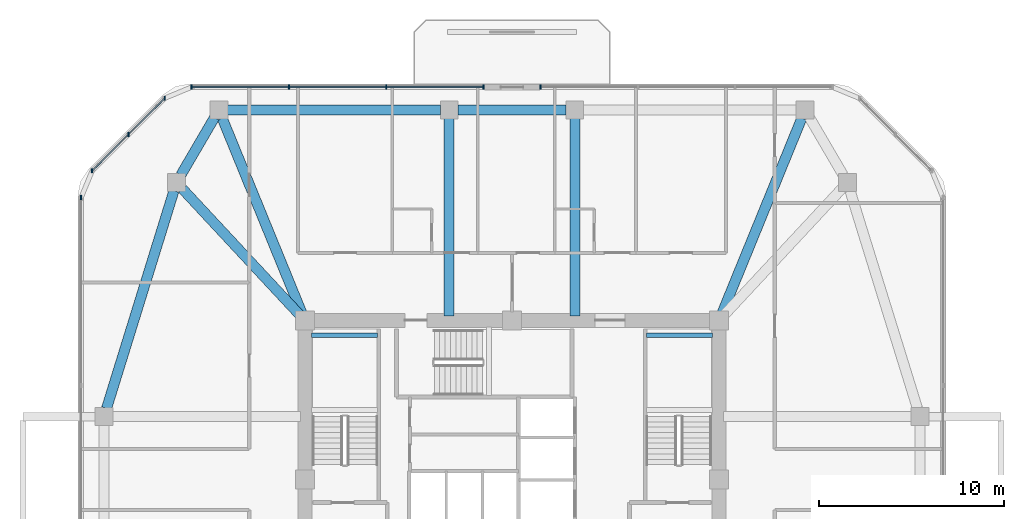
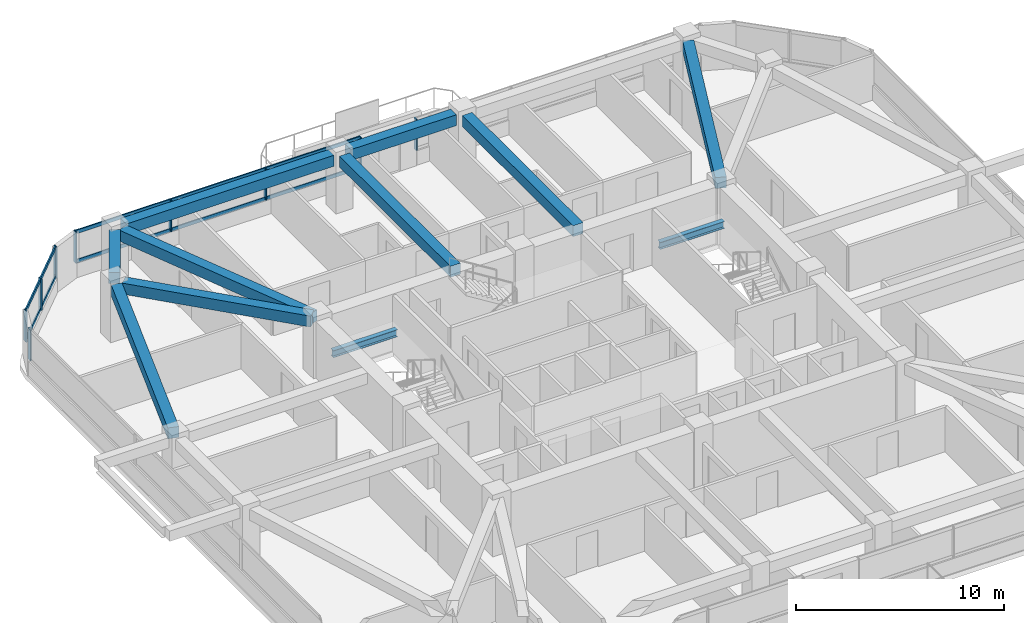
# One storey, part 4 of 12: 13 members, 11 beams, 4 elements without a shape of their own.
"""IFC4 building model written with IfcOpenShell, lengths in metres."""

import ifcopenshell
import ifcopenshell.guid

model = None  # the IFC model being written
_history = None  # IfcOwnerHistory: only IFC2X3 demands one
_inside = {}  # id of a spatial element -> (the spatial element, [elements in it])
_under = {}  # id of a project, library or spatial element -> (it, [spatial elements below it])
_declared = {}  # id of a project -> (the project, [libraries it declares])
_typed = {}  # id of a type object -> (the type object, [elements of that type])
_made_of = {}  # id of a material, layer set ... -> (it, [elements and type objects made of it])


def new_model(schema):
    """Start an empty IFC model of exactly this schema.

    Asked for "IFC4X3", IfcOpenShell would pick the latest addendum, in which some entities
    have other attributes; the version numbers below select the first issue.
    IFC2X3 requires an IfcOwnerHistory on every rooted entity: one is made here for all.
    """
    global model, _history
    if schema == "IFC4X3":
        model = ifcopenshell.file(schema_version=(4, 3, 0, 0))
    else:
        model = ifcopenshell.file(schema=schema)
    _inside.clear()
    _under.clear()
    _declared.clear()
    _typed.clear()
    _made_of.clear()
    _history = None
    if model.schema == "IFC2X3":
        org = make("IfcOrganization", Name="unknown")
        user = make(
            "IfcPersonAndOrganization",
            ThePerson=make("IfcPerson", FamilyName="unknown"),
            TheOrganization=org,
        )
        app = make(
            "IfcApplication",
            ApplicationDeveloper=org,
            Version="unknown",
            ApplicationFullName="unknown",
            ApplicationIdentifier="unknown",
        )
        _history = make(
            "IfcOwnerHistory",
            OwningUser=user,
            OwningApplication=app,
            ChangeAction="ADDED",
            CreationDate=0,
        )
    return model


def make(cls, **values):
    """One entity of the class cls with the attributes given. An attribute that is None is left unset."""
    return model.create_entity(
        cls, **{name: value for name, value in values.items() if value is not None}
    )


def rooted(cls, **values):
    """An entity with a GlobalId (a new one), such as an element, a storey or a relation."""
    return make(cls, GlobalId=ifcopenshell.guid.new(), OwnerHistory=_history, **values)


def si_unit(unit_type, name, prefix=None):
    """IfcSIUnit, for example si_unit("LENGTHUNIT", "METRE", prefix="MILLI")."""
    return make("IfcSIUnit", UnitType=unit_type, Prefix=prefix, Name=name)


def derived_unit(unit_type, elements):
    """IfcDerivedUnit: a product of units, each with its exponent."""
    return make(
        "IfcDerivedUnit",
        Elements=[
            make("IfcDerivedUnitElement", Unit=unit, Exponent=power)
            for unit, power in elements
        ],
        UnitType=unit_type,
    )


def assignment(units):
    """IfcUnitAssignment: the units of a project."""
    return None if units is None else make("IfcUnitAssignment", Units=units)


def point(xyz):
    """IfcCartesianPoint."""
    return None if xyz is None else make("IfcCartesianPoint", Coordinates=xyz)


def direction(xyz):
    """IfcDirection."""
    return None if xyz is None else make("IfcDirection", DirectionRatios=xyz)


def frame(location, z_axis=None, x_axis=None):
    """IfcAxis2Placement3D, a coordinate frame: its origin and axes. An axis left out is left unset."""
    return make(
        "IfcAxis2Placement3D",
        Location=point(location),
        Axis=direction(z_axis),
        RefDirection=direction(x_axis),
    )


def frame_2d(location, x_axis=None):
    """IfcAxis2Placement2D, a coordinate frame in the plane: its origin and x axis."""
    return make(
        "IfcAxis2Placement2D", Location=point(location), RefDirection=direction(x_axis)
    )


def origin():
    """The frame at (0, 0, 0) with its axes left unset."""
    return frame((0.0, 0.0, 0.0))


def origin_2d():
    """The frame at (0, 0) in the plane with its x axis left unset."""
    return frame_2d((0.0, 0.0))


def place(relative_to, where):
    """IfcLocalPlacement: puts the frame where relative to a parent placement (None: the world)."""
    return make(
        "IfcLocalPlacement", PlacementRelTo=relative_to, RelativePlacement=where
    )


def context(
    kind, dimensions, precision=None, world=None, true_north=None, identifier=None
):
    """IfcGeometricRepresentationContext, for example the 3D "Model" context."""
    return make(
        "IfcGeometricRepresentationContext",
        ContextIdentifier=identifier,
        ContextType=kind,
        CoordinateSpaceDimension=dimensions,
        Precision=precision,
        WorldCoordinateSystem=world,
        TrueNorth=true_north,
    )


def subcontext(parent, identifier, kind, view, scale=None):
    """IfcGeometricRepresentationSubContext, for example "Body" below "Model"."""
    return make(
        "IfcGeometricRepresentationSubContext",
        ContextIdentifier=identifier,
        ContextType=kind,
        ParentContext=parent,
        TargetScale=scale,
        TargetView=view,
    )


def project(units=None, contexts=None):
    """IfcProject with its units and contexts."""
    return rooted(
        "IfcProject",
        Name="project",
        RepresentationContexts=contexts,
        UnitsInContext=assignment(units),
    )


def spatial(cls, under=None, at=None, **own):
    """A site, building, storey or space (cls), placed at a placement, below another one or the project."""
    s = rooted(cls, ObjectPlacement=at, **own)
    if under is not None:
        _under.setdefault(under.id(), (under, []))[1].append(s)
    return s


def profile(cls, at=None, kind="AREA", **sizes):
    """A parametric profile (cls). Its sizes go by their IFC names, for example OverallWidth=200.0."""
    return make(cls, ProfileType=kind, Position=at, **sizes)


def rectangle(**sizes):
    """IfcRectangleProfileDef."""
    return profile("IfcRectangleProfileDef", **sizes)


def i_section(**sizes):
    """IfcIShapeProfileDef."""
    return profile("IfcIShapeProfileDef", **sizes)


def extrude(swept, where, along, depth):
    """IfcExtrudedAreaSolid: the profile swept, set in the frame where, extruded along a direction by depth."""
    return make(
        "IfcExtrudedAreaSolid",
        SweptArea=swept,
        Position=where,
        ExtrudedDirection=direction(along),
        Depth=depth,
    )


def shape(context_of_items, identifier, shape_type, items):
    """IfcShapeRepresentation: the items that make up one representation, for example the "Body"."""
    return make(
        "IfcShapeRepresentation",
        ContextOfItems=context_of_items,
        RepresentationIdentifier=identifier,
        RepresentationType=shape_type,
        Items=items,
    )


def material(Name=None, Category=None):
    """IfcMaterial."""
    return make("IfcMaterial", Name=Name, Category=Category)


def material_profile(
    of_material, cross_section, Name=None, Category=None, Priority=None
):
    """IfcMaterialProfile: a cross section and its material."""
    return make(
        "IfcMaterialProfile",
        Name=Name,
        Material=of_material,
        Profile=cross_section,
        Priority=Priority,
        Category=Category,
    )


def profile_set(profiles, Name=None, composite=None):
    """IfcMaterialProfileSet."""
    return make(
        "IfcMaterialProfileSet",
        Name=Name,
        MaterialProfiles=profiles,
        CompositeProfile=composite,
    )


def made_of(thing, what):
    """Note that an element or type object is made of a material, layer set ...; save() writes the relation."""
    if what is not None:
        _made_of.setdefault(what.id(), (what, []))[1].append(thing)
    return thing


def type_object(cls, material=None, **own):
    """A type object (cls), such as IfcWallType, which elements share."""
    return made_of(rooted(cls, **own), material)


def element(
    cls,
    number,
    at=None,
    inside=None,
    cuts=None,
    type_object=None,
    material=None,
    context=None,
    identifier="Body",
    shape_type=None,
    held_by="IfcProductDefinitionShape",
    body=None,
    shapes=None,
    **own,
):
    """One element of the class cls, such as IfcWall. Its Tag is "e" and its number.

    at: its placement. inside: the storey or other place that contains it. cuts: it is an
    opening in that element (IfcRelVoidsElement). A single representation is given by context,
    identifier, shape_type and body (its items); several are given by shapes. held_by: the class
    of the entity that holds the representations. save() writes the other relations.
    """
    e = rooted(cls, Tag="e%d" % number, ObjectPlacement=at, **own)
    if body is not None:
        shapes = [shape(context, identifier, shape_type, body)]
    if shapes is not None:
        e.Representation = make(held_by, Representations=shapes)
    if inside is not None:
        _inside.setdefault(inside.id(), (inside, []))[1].append(e)
    if cuts is not None:
        rooted(
            "IfcRelVoidsElement", RelatingBuildingElement=cuts, RelatedOpeningElement=e
        )
    if type_object is not None:
        _typed.setdefault(type_object.id(), (type_object, []))[1].append(e)
    return made_of(e, material)


def aggregate(whole, parts):
    """IfcRelAggregates: a whole, such as a stair, and the parts it consists of."""
    return rooted("IfcRelAggregates", RelatingObject=whole, RelatedObjects=parts)


def save(model, path):
    """Write the relations noted so far, then the file.

    IfcRelAggregates (storeys below a building ...), IfcRelContainedInSpatialStructure (elements
    in a storey), IfcRelDefinesByType, IfcRelAssociatesMaterial and IfcRelDeclares: one each for
    every whole, place, type object, material and project.
    """
    for whole, parts in _under.values():
        aggregate(whole, parts)
    for where, things in _inside.values():
        rooted(
            "IfcRelContainedInSpatialStructure",
            RelatedElements=things,
            RelatingStructure=where,
        )
    for kind, things in _typed.values():
        rooted("IfcRelDefinesByType", RelatedObjects=things, RelatingType=kind)
    for what, things in _made_of.values():
        rooted("IfcRelAssociatesMaterial", RelatedObjects=things, RelatingMaterial=what)
    for by, libraries in _declared.values():
        rooted("IfcRelDeclares", RelatingContext=by, RelatedDefinitions=libraries)
    model.write(path)


model = new_model("IFC4")

# Units and contexts
model_context = context("Model", 3, precision=1e-05, world=origin(), true_north=direction((0.0, 1.0)))
body_context = subcontext(model_context, "Body", "Model", "MODEL_VIEW")
ifc_project = project(units=[si_unit("LENGTHUNIT", "METRE"), si_unit("AREAUNIT", "SQUARE_METRE"), si_unit("VOLUMEUNIT", "CUBIC_METRE"), si_unit("PLANEANGLEUNIT", "RADIAN"), si_unit("MASSUNIT", "GRAM", prefix="KILO"), derived_unit("THERMALTRANSMITTANCEUNIT", [(si_unit("POWERUNIT", "WATT"), 1), (si_unit("LENGTHUNIT", "METRE"), -2), (si_unit("THERMODYNAMICTEMPERATUREUNIT", "KELVIN"), -1)])], contexts=[model_context])

# Site, building, storey
site_placement = place(None, origin())
site = spatial("IfcSite", under=ifc_project, at=site_placement, CompositionType="ELEMENT")
building_placement = place(site_placement, origin())
building = spatial("IfcBuilding", under=site, at=building_placement, Name="Koralith Skygarden Medical Center", CompositionType="ELEMENT")
storey_placement = place(building_placement, frame((0.0, 0.0, 138.419921875)))
storey = spatial("IfcBuildingStorey", under=building, at=storey_placement, Name="L35", CompositionType="ELEMENT", Elevation=138.419921875)

# Curtain wall, member
ifc_material_1 = material(Name="Clear Laminated Glass", Category="glass")
curtain_wall_type = type_object("IfcCurtainWallType", Name="CW-4 Zone 3 Waist High-Wind Curtain Wall", PredefinedType="NOTDEFINED", material=ifc_material_1)
curtain_wall_1_placement = place(storey_placement, origin())
curtain_wall_1 = element("IfcCurtainWall", 1, at=curtain_wall_1_placement, inside=storey, type_object=curtain_wall_type, Name="Curtain Wall CW-L35-N-L", PredefinedType="NOTDEFINED")
ifc_material_2 = material(Name="Aluminium 6063-T6", Category="aluminium")
ifc_material_profile_1 = material_profile(ifc_material_2, rectangle(XDim=0.076904296875, YDim=0.22998046875, at=origin_2d()), Name="MUL77X230")
ifc_profile_set_1 = profile_set([ifc_material_profile_1], Name="Aluminium 6063-T6")
member_type_1 = type_object("IfcMemberType", Name="CW-4 Extruded Mullion 77x230", PredefinedType="MULLION", material=ifc_profile_set_1)
member_1_placement = place(storey_placement, frame((38.541015625, 47.1201171875, 0.85009765625), z_axis=(0.0, 0.0, 1.0), x_axis=(1.0, 0.0, 0.0)))
member_1 = element("IfcMember", 2, at=member_1_placement, type_object=member_type_1, Name="CW-L35-N-L Mullion 4", PredefinedType="MULLION", context=body_context, shape_type="SweptSolid", body=[
    extrude(rectangle(XDim=0.076904296875, YDim=0.22998046875, at=origin_2d()), origin(), (0.0, 0.0, 1.0), 1.820068359375),
])
aggregate(curtain_wall_1, [member_1])

# Curtain wall, members
curtain_wall_2_placement = place(storey_placement, origin())
curtain_wall_2 = element("IfcCurtainWall", 3, at=curtain_wall_2_placement, inside=storey, type_object=curtain_wall_type, Name="Curtain Wall CW-L35-N-R", PredefinedType="NOTDEFINED")
member_2_placement = place(storey_placement, frame((35.4609375, 47.1201171875, 0.85009765625), z_axis=(0.0, 0.0, 1.0), x_axis=(1.0, 0.0, 0.0)))
member_2 = element("IfcMember", 4, at=member_2_placement, type_object=member_type_1, Name="CW-L35-N-R Mullion 1", PredefinedType="MULLION", context=body_context, shape_type="SweptSolid", body=[
    extrude(rectangle(XDim=0.076904296875, YDim=0.22998046875, at=origin_2d()), origin(), (0.0, 0.0, 1.0), 1.820068359375),
])
member_3_placement = place(storey_placement, frame((30.197998046875, 47.1201171875, 0.85009765625), z_axis=(0.0, 0.0, 1.0), x_axis=(1.0, 0.0, 0.0)))
member_3 = element("IfcMember", 5, at=member_3_placement, type_object=member_type_1, Name="CW-L35-N-R Mullion 2", PredefinedType="MULLION", context=body_context, shape_type="SweptSolid", body=[
    extrude(rectangle(XDim=0.076904296875, YDim=0.22998046875, at=origin_2d()), origin(), (0.0, 0.0, 1.0), 1.820068359375),
])
member_4_placement = place(storey_placement, frame((24.93408203125, 47.1201171875, 0.85009765625), z_axis=(0.0, 0.0, 1.0), x_axis=(1.0, 0.0, 0.0)))
member_4 = element("IfcMember", 6, at=member_4_placement, type_object=member_type_1, Name="CW-L35-N-R Mullion 3", PredefinedType="MULLION", context=body_context, shape_type="SweptSolid", body=[
    extrude(rectangle(XDim=0.076904296875, YDim=0.22998046875, at=origin_2d()), origin(), (0.0, 0.0, 1.0), 1.820068359375),
])
member_5_placement = place(storey_placement, frame((19.6708984375, 47.1201171875, 0.85009765625), z_axis=(0.0, 0.0, 1.0), x_axis=(1.0, 0.0, 0.0)))
member_5 = element("IfcMember", 7, at=member_5_placement, type_object=member_type_1, Name="CW-L35-N-R Mullion 4", PredefinedType="MULLION", context=body_context, shape_type="SweptSolid", body=[
    extrude(rectangle(XDim=0.076904296875, YDim=0.22998046875, at=origin_2d()), origin(), (0.0, 0.0, 1.0), 1.820068359375),
])

curtain_wall_3_placement = place(storey_placement, origin())
curtain_wall_3 = element("IfcCurtainWall", 8, at=curtain_wall_3_placement, inside=storey, type_object=curtain_wall_type, Name="Curtain Wall CW-L35-NW", PredefinedType="NOTDEFINED")
member_6_placement = place(storey_placement, frame((18.219970703125, 46.51904296875, 0.85009765625), z_axis=(0.0, 0.0, 1.0), x_axis=(1.0, 0.0, 0.0)))
member_6 = element("IfcMember", 9, at=member_6_placement, type_object=member_type_1, Name="CW-L35-NW Mullion 1", PredefinedType="MULLION", context=body_context, shape_type="SweptSolid", body=[
    extrude(rectangle(XDim=0.076904296875, YDim=0.22998046875, at=origin_2d()), origin(), (0.0, 0.0, 1.0), 1.820068359375),
])
member_7_placement = place(storey_placement, frame((16.258056640625, 44.556884765625, 0.85009765625), z_axis=(0.0, 0.0, 1.0), x_axis=(1.0, 0.0, 0.0)))
member_7 = element("IfcMember", 10, at=member_7_placement, type_object=member_type_1, Name="CW-L35-NW Mullion 2", PredefinedType="MULLION", context=body_context, shape_type="SweptSolid", body=[
    extrude(rectangle(XDim=0.076904296875, YDim=0.22998046875, at=origin_2d()), origin(), (0.0, 0.0, 1.0), 1.820068359375),
])
member_8_placement = place(storey_placement, frame((14.297119140625, 42.595947265625, 0.85009765625), z_axis=(0.0, 0.0, 1.0), x_axis=(1.0, 0.0, 0.0)))
member_8 = element("IfcMember", 11, at=member_8_placement, type_object=member_type_1, Name="CW-L35-NW Mullion 3", PredefinedType="MULLION", context=body_context, shape_type="SweptSolid", body=[
    extrude(rectangle(XDim=0.076904296875, YDim=0.22998046875, at=origin_2d()), origin(), (0.0, 0.0, 1.0), 1.820068359375),
])

# Curtain wall, member
curtain_wall_4_placement = place(storey_placement, origin())
curtain_wall_4 = element("IfcCurtainWall", 12, at=curtain_wall_4_placement, inside=storey, type_object=curtain_wall_type, Name="Curtain Wall CW-L35-W", PredefinedType="NOTDEFINED")
member_9_placement = place(storey_placement, frame((13.696044921875, 41.14501953125, 0.85009765625), z_axis=(0.0, 0.0, 1.0), x_axis=(1.0, 0.0, 0.0)))
member_9 = element("IfcMember", 13, at=member_9_placement, type_object=member_type_1, Name="CW-L35-W Mullion 1", PredefinedType="MULLION", context=body_context, shape_type="SweptSolid", body=[
    extrude(rectangle(XDim=0.076904296875, YDim=0.22998046875, at=origin_2d()), origin(), (0.0, 0.0, 1.0), 1.820068359375),
])
aggregate(curtain_wall_4, [member_9])

# Member
ifc_material_profile_2 = material_profile(ifc_material_2, rectangle(XDim=0.072021484375, YDim=0.20703125, at=origin_2d()), Name="TRN72X207")
ifc_profile_set_2 = profile_set([ifc_material_profile_2], Name="Aluminium 6063-T6")
member_type_2 = type_object("IfcMemberType", Name="CW-4 Thermal Transom 72x207", PredefinedType="USERDEFINED", material=ifc_profile_set_2)
member_10_placement = place(storey_placement, frame((35.4609375, 47.1201171875, 0.900146484375), z_axis=(-1.0, 0.0, 0.0), x_axis=(0.0, -1.0, 0.0)))
member_10 = element("IfcMember", 14, at=member_10_placement, type_object=member_type_2, Name="CW-L35-N-R Transom 1", ObjectType="TRANSOM", PredefinedType="USERDEFINED", context=body_context, shape_type="SweptSolid", body=[
    extrude(rectangle(XDim=0.072021484375, YDim=0.20703125, at=origin_2d()), origin(), (0.0, 0.0, 1.0), 15.7900390625),
])

member_11_placement = place(storey_placement, frame((35.4609375, 47.1201171875, 2.6201171875), z_axis=(-1.0, 0.0, 0.0), x_axis=(0.0, -1.0, 0.0)))
member_11 = element("IfcMember", 15, at=member_11_placement, type_object=member_type_2, Name="CW-L35-N-R Transom 2", ObjectType="TRANSOM", PredefinedType="USERDEFINED", context=body_context, shape_type="SweptSolid", body=[
    extrude(rectangle(XDim=0.072021484375, YDim=0.20703125, at=origin_2d()), origin(), (0.0, 0.0, 1.0), 15.7900390625),
])

aggregate(curtain_wall_2, [member_2, member_3, member_4, member_5, member_10, member_11])

member_12_placement = place(storey_placement, frame((18.219970703125, 46.51904296875, 0.900146484375), z_axis=(-0.707084777957, -0.707128783731, 0.0), x_axis=(0.707128783731, -0.707084777957, 0.0)))
member_12 = element("IfcMember", 16, at=member_12_placement, type_object=member_type_2, Name="CW-L35-NW Transom 1", ObjectType="TRANSOM", PredefinedType="USERDEFINED", context=body_context, shape_type="SweptSolid", body=[
    extrude(rectangle(XDim=0.072021484375, YDim=0.20703125, at=origin_2d()), origin(), (0.0, 0.0, 1.0), 5.5478515625),
])

member_13_placement = place(storey_placement, frame((18.219970703125, 46.51904296875, 2.6201171875), z_axis=(-0.707084777957, -0.707128783731, 0.0), x_axis=(0.707128783731, -0.707084777957, 0.0)))
member_13 = element("IfcMember", 17, at=member_13_placement, type_object=member_type_2, Name="CW-L35-NW Transom 2", ObjectType="TRANSOM", PredefinedType="USERDEFINED", context=body_context, shape_type="SweptSolid", body=[
    extrude(rectangle(XDim=0.072021484375, YDim=0.20703125, at=origin_2d()), origin(), (0.0, 0.0, 1.0), 5.5478515625),
])

aggregate(curtain_wall_3, [member_6, member_7, member_8, member_12, member_13])

# Beams
ifc_material_3 = material(Name="Steel ASTM A992 Grade 50", Category="steel")
ifc_material_profile_3 = material_profile(ifc_material_3, i_section(OverallWidth=0.260009765625, OverallDepth=0.4150390625, WebThickness=0.010009765625, FlangeThickness=0.016845703125, at=origin_2d()), Name="W16X67")
ifc_profile_set_3 = profile_set([ifc_material_profile_3], Name="Steel ASTM A992 Grade 50")
beam_type_1 = type_object("IfcBeamType", Name="Clinical Floor Joist W16X67", PredefinedType="JOIST", material=ifc_profile_set_3)
for number, where, z_axis, x_axis, name in (
    (18, (26.155029296875, 33.699951171875, 1.39208984375), (1.0, 0.0, 0.0), (0.0, 1.0, 0.0), "L35 Stair ST1 Half-Landing Support Beam 1B"),
    (19, (44.280029296875, 33.699951171875, 1.39208984375), (1.0, 0.0, 0.0), (0.0, 1.0, 0.0), "L35 Stair ST2 Half-Landing Support Beam 1B"),
):
    element("IfcBeam", number, at=place(storey_placement, frame(where, z_axis=z_axis, x_axis=x_axis)), inside=storey, type_object=beam_type_1, Name=name, PredefinedType="JOIST", context=body_context, shape_type="SweptSolid", body=[
        extrude(i_section(OverallWidth=0.260009765625, OverallDepth=0.4150390625, WebThickness=0.010009765625, FlangeThickness=0.016845703125, at=origin_2d()), origin(), (0.0, 0.0, 1.0), 3.56494140625),
    ])
ifc_material_4 = material(Name="Concrete C45/55", Category="concrete")
ifc_material_profile_4 = material_profile(ifc_material_4, rectangle(XDim=0.550048828125, YDim=0.639892578125, at=origin_2d()), Name="RCB550X640")
ifc_profile_set_4 = profile_set([ifc_material_profile_4], Name="Concrete C45/55")
beam_type_2 = type_object("IfcBeamType", Name="Radial Collector Beam RCB550X640", PredefinedType="BEAM", material=ifc_profile_set_4)
beam_1_placement = place(storey_placement, frame((48.294921875, 34.73095703125, 3.0), z_axis=(0.378344544364, 0.92566484526, 0.0), x_axis=(-0.92566484526, 0.378344544364, 0.0)))
element("IfcBeam", 20, at=beam_1_placement, inside=storey, type_object=beam_type_2, Name="L35 Radial Collector Beam RB-11", PredefinedType="BEAM", context=body_context, shape_type="SweptSolid", body=[
    extrude(rectangle(XDim=0.550048828125, YDim=0.639892578125, at=origin_2d()), origin(), (0.0, 0.0, 1.0), 11.574462890625),
])
for number, where, z_axis, x_axis, name in (
    (21, (40.39990234375, 34.75, 3.0), (0.0, 1.0, 0.0), (-1.0, 0.0, 0.0), "L35 Radial Collector Beam RB-12"),
    (22, (33.60009765625, 34.75, 3.0), (0.0, 1.0, 0.0), (-1.0, 0.0, 0.0), "L35 Radial Collector Beam RB-13"),
):
    element("IfcBeam", number, at=place(storey_placement, frame(where, z_axis=z_axis, x_axis=x_axis)), inside=storey, type_object=beam_type_2, Name=name, PredefinedType="BEAM", context=body_context, shape_type="SweptSolid", body=[
        extrude(rectangle(XDim=0.550048828125, YDim=0.639892578125, at=origin_2d()), origin(), (0.0, 0.0, 1.0), 10.659912109375),
    ])
beam_2_placement = place(storey_placement, frame((25.705078125, 34.73095703125, 3.0), z_axis=(-0.378344544364, 0.92566484526, 0.0), x_axis=(-0.92566484526, -0.378344544364, 0.0)))
element("IfcBeam", 23, at=beam_2_placement, inside=storey, type_object=beam_type_2, Name="L35 Radial Collector Beam RB-14", PredefinedType="BEAM", context=body_context, shape_type="SweptSolid", body=[
    extrude(rectangle(XDim=0.550048828125, YDim=0.639892578125, at=origin_2d()), origin(), (0.0, 0.0, 1.0), 11.574462890625),
])
beam_3_placement = place(storey_placement, frame((25.6298828125, 34.68310546875, 3.0), z_axis=(-0.681369011591, 0.731940072713, 0.0), x_axis=(-0.731940072713, -0.681369011591, 0.0)))
element("IfcBeam", 24, at=beam_3_placement, inside=storey, type_object=beam_type_2, Name="L35 Radial Collector Beam RB-15", PredefinedType="BEAM", context=body_context, shape_type="SweptSolid", body=[
    extrude(rectangle(XDim=0.550048828125, YDim=0.639892578125, at=origin_2d()), origin(), (0.0, 0.0, 1.0), 9.471923828125),
])
ifc_material_profile_5 = material_profile(ifc_material_4, rectangle(XDim=0.550048828125, YDim=0.639892578125, at=origin_2d()), Name="RCB550X640")
ifc_profile_set_5 = profile_set([ifc_material_profile_5], Name="Concrete C45/55")
beam_type_3 = type_object("IfcBeamType", Name="Zone 2-3 Spandrel Beam RCB550X640", PredefinedType="SPANDREL", material=ifc_profile_set_5)
beam_4_placement = place(storey_placement, frame((39.929931640625, 45.8798828125, 3.0), z_axis=(-1.0, 0.0, 0.0), x_axis=(0.0, -1.0, 0.0)))
element("IfcBeam", 25, at=beam_4_placement, inside=storey, type_object=beam_type_3, Name="L35 Perimeter Spandrel Beam SP-12", PredefinedType="SPANDREL", context=body_context, shape_type="SweptSolid", body=[
    extrude(rectangle(XDim=0.550048828125, YDim=0.639892578125, at=origin_2d()), origin(), (0.0, 0.0, 1.0), 5.85986328125),
])
beam_5_placement = place(storey_placement, frame((33.1298828125, 45.8798828125, 3.0), z_axis=(-1.0, 0.0, 0.0), x_axis=(0.0, -1.0, 0.0)))
element("IfcBeam", 26, at=beam_5_placement, inside=storey, type_object=beam_type_3, Name="L35 Perimeter Spandrel Beam SP-13", PredefinedType="SPANDREL", context=body_context, shape_type="SweptSolid", body=[
    extrude(rectangle(XDim=0.550048828125, YDim=0.639892578125, at=origin_2d()), origin(), (0.0, 0.0, 1.0), 11.511962890625),
])
beam_6_placement = place(storey_placement, frame((20.910888671875, 45.47412109375, 3.0), z_axis=(-0.504861391295, -0.863200426077, 0.0), x_axis=(0.863200426077, -0.504861391295, 0.0)))
element("IfcBeam", 27, at=beam_6_placement, inside=storey, type_object=beam_type_3, Name="L35 Perimeter Spandrel Beam SP-14", PredefinedType="SPANDREL", context=body_context, shape_type="SweptSolid", body=[
    extrude(rectangle(XDim=0.550048828125, YDim=0.639892578125, at=origin_2d()), origin(), (0.0, 0.0, 1.0), 3.600830078125),
])
beam_7_placement = place(storey_placement, frame((18.717041015625, 41.510986328125, 3.0), z_axis=(-0.295793585147, -0.955251880389, 0.0), x_axis=(0.955251880389, -0.295793585147, 0.0)))
element("IfcBeam", 28, at=beam_7_placement, inside=storey, type_object=beam_type_3, Name="L35 Perimeter Spandrel Beam SP-15", PredefinedType="SPANDREL", context=body_context, shape_type="SweptSolid", body=[
    extrude(rectangle(XDim=0.550048828125, YDim=0.639892578125, at=origin_2d()), origin(), (0.0, 0.0, 1.0), 12.31298828125),
])

save(model, "model.ifc")
